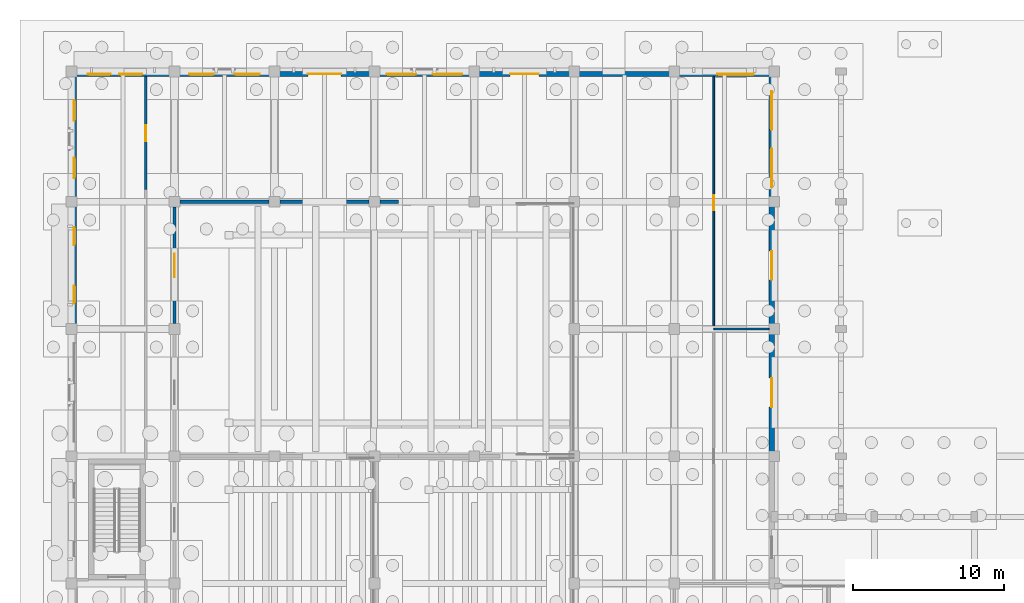
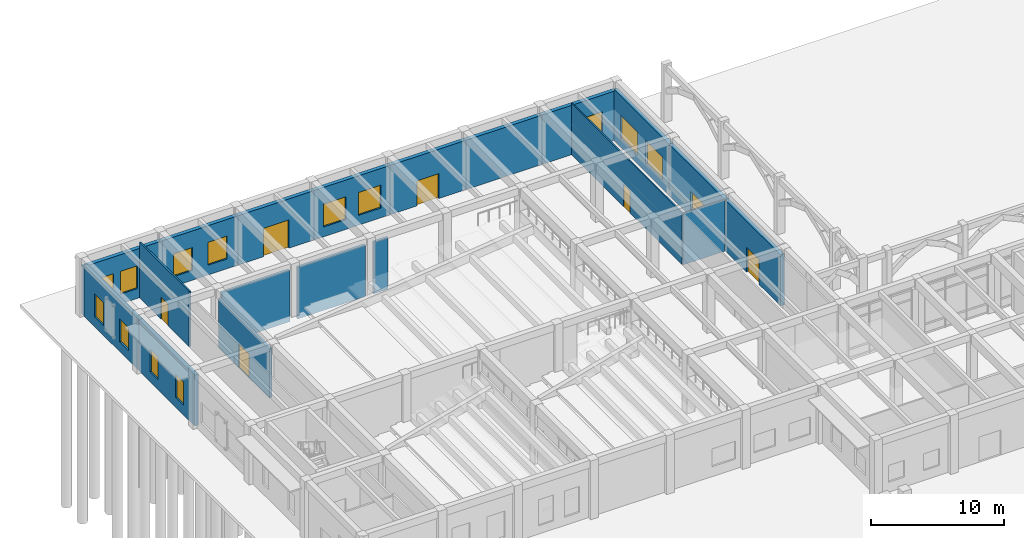
# One storey, part 56 of 82: 19 walls, 13 windows, 7 doors, 20 openings.
"""IFC4 building model written with IfcOpenShell, lengths in metres."""

from ifc_helpers import new_model, si_unit, direction, frame, frame_2d, origin, place, context, subcontext, project, spatial, rectangle, extrude, material, layer, layer_set, type_object, element, fill, save


model = new_model("IFC4")

# Units and contexts
model_context = context("Model", 3, precision=1e-05, world=origin(), true_north=direction((0.0, 1.0)))
body_context = subcontext(model_context, "Body", "Model", "MODEL_VIEW")
ifc_project = project(units=[si_unit("LENGTHUNIT", "METRE"), si_unit("AREAUNIT", "SQUARE_METRE"), si_unit("VOLUMEUNIT", "CUBIC_METRE"), si_unit("PLANEANGLEUNIT", "RADIAN"), si_unit("MASSUNIT", "GRAM", prefix="KILO")], contexts=[model_context])

# Site, building, storey
site_placement = place(None, origin())
site = spatial("IfcSite", under=ifc_project, at=site_placement, CompositionType="ELEMENT")
building_placement = place(site_placement, origin())
building = spatial("IfcBuilding", under=site, at=building_placement, Name="Kolvaren Faculty of Natural Sciences", CompositionType="ELEMENT")
storey_placement = place(building_placement, origin())
storey = spatial("IfcBuildingStorey", under=building, at=storey_placement, Name="L00", CompositionType="ELEMENT", Elevation=0.0)

# Walls
ifc_material_1 = material(Name="Autoclaved aerated fire-rated masonry blockwork", Category="masonry")
ifc_layer_1 = layer(ifc_material_1, 0.2099609375)
ifc_layer_set_1 = layer_set([ifc_layer_1], Name="Autoclaved aerated fire-rated masonry blockwork")
wall_type_1 = type_object("IfcWallType", Name="AcousticLectureWall_210", PredefinedType="PARTITIONING", material=ifc_layer_set_1)
wall_1_placement = place(storey_placement, frame((7.14990234375, 109.39990234375, 0.0), z_axis=(0.0, 0.0, 1.0), x_axis=(1.0, 0.0, 0.0)))
element("IfcWall", 1, at=wall_1_placement, inside=storey, type_object=wall_type_1, Name="L00 interior partition PW-210", PredefinedType="PARTITIONING", context=body_context, shape_type="SweptSolid", body=[
    extrude(rectangle(XDim=5.900146484375, YDim=0.2099609375, at=frame_2d((2.9501953125, 0.0))), origin(), (0.0, 0.0, 1.0), 4.735107421875),
])
wall_2_placement = place(storey_placement, frame((13.75, 109.39990234375, 0.0), z_axis=(0.0, 0.0, 1.0), x_axis=(1.0, 0.0, 0.0)))
element("IfcWall", 2, at=wall_2_placement, inside=storey, type_object=wall_type_1, Name="L00 interior partition PW-210", PredefinedType="PARTITIONING", context=body_context, shape_type="SweptSolid", body=[
    extrude(rectangle(XDim=5.89990234375, YDim=0.2099609375, at=frame_2d((2.949951171875, 0.0))), origin(), (0.0, 0.0, 1.0), 4.735107421875),
])
wall_3_placement = place(storey_placement, frame((20.35009765625, 109.39990234375, 0.0), z_axis=(0.0, 0.0, 1.0), x_axis=(1.0, 0.0, 0.0)))
element("IfcWall", 3, at=wall_3_placement, inside=storey, type_object=wall_type_1, Name="L00 interior partition PW-210", PredefinedType="PARTITIONING", context=body_context, shape_type="SweptSolid", body=[
    extrude(rectangle(XDim=1.25, YDim=0.2099609375, at=frame_2d((0.625, 0.0))), origin(), (0.0, 0.0, 1.0), 4.735107421875),
])

# Wall, opening, door
wall_4_placement = place(storey_placement, frame((6.800048828125, 101.35009765625, 0.0), z_axis=(0.0, 0.0, 1.0), x_axis=(0.0, 1.0, 0.0)))
wall_4 = element("IfcWall", 4, at=wall_4_placement, inside=storey, type_object=wall_type_1, Name="L00 interior partition PW-210", PredefinedType="PARTITIONING", context=body_context, shape_type="SweptSolid", body=[
    extrude(rectangle(XDim=7.699951171875, YDim=0.2099609375, at=frame_2d((3.85009765625, 0.0))), origin(), (0.0, 0.0, 1.0), 4.534912109375),
])
opening_1_placement = place(wall_4_placement, frame((3.074951171875, 0.0, 0.0)))
opening_1 = element("IfcOpeningElement", 5, at=opening_1_placement, cuts=wall_4, Name="Opening FD30-D", PredefinedType="OPENING", context=body_context, shape_type="SweptSolid", body=[
    extrude(rectangle(XDim=1.550048828125, YDim=2.199951171875, at=frame_2d((0.77490234375, 1.10009765625))), frame((0.0, 0.114990234375, 0.0), z_axis=(0.0, -1.0, 0.0), x_axis=(1.0, 0.0, 0.0)), (0.0, 0.0, 1.0), 0.22998046875),
])
ifc_material_2 = material(Name="Fire-rated solid-core hardwood door leaf in steel frame", Category="steel")
door_type_1 = type_object("IfcDoorType", Name="AssemblyDoubleFireDoor_1550x2200", OperationType="DOUBLE_DOOR_SINGLE_SWING", PredefinedType="DOOR", material=ifc_material_2)
door_1_placement = place(opening_1_placement, origin())
door_1 = element("IfcDoor", 6, at=door_1_placement, inside=storey, type_object=door_type_1, Name="D-L00-0038", OperationType="DOUBLE_DOOR_SINGLE_SWING", OverallHeight=2.199951171875, OverallWidth=1.550048828125, PredefinedType="DOOR", context=body_context, shape_type="SweptSolid", body=[
    extrude(rectangle(XDim=1.550048828125, YDim=2.199951171875, at=frame_2d((0.77490234375, 1.10009765625))), frame((0.0, 0.02490234375, 0.0), z_axis=(0.0, -1.0, 0.0), x_axis=(1.0, 0.0, 0.0)), (0.0, 0.0, 1.0), 0.050048828125),
])
fill(opening_1, door_1)

ifc_material_3 = material(Name="Acoustic mineral-wool insulated gypsum partition")
ifc_layer_2 = layer(ifc_material_3, 0.139892578125)
ifc_layer_set_2 = layer_set([ifc_layer_2], Name="Acoustic mineral-wool insulated gypsum partition")
wall_type_2 = type_object("IfcWallType", Name="CommonsPartitionWall_140", PredefinedType="PARTITIONING", material=ifc_layer_set_2)
wall_5_placement = place(storey_placement, frame((4.89990234375, 117.657958984375, 0.0), z_axis=(0.0, 0.0, 1.0), x_axis=(0.0, -1.0, 0.0)))
wall_5 = element("IfcWall", 7, at=wall_5_placement, inside=storey, type_object=wall_type_2, Name="L00 interior partition PW-140", PredefinedType="PARTITIONING", context=body_context, shape_type="SweptSolid", body=[
    extrude(rectangle(XDim=7.4580078125, YDim=0.139892578125, at=frame_2d((3.72900390625, 0.0))), origin(), (0.0, 0.0, 1.0), 5.094970703125),
])
opening_2_placement = place(wall_5_placement, frame((3.198974609375, 0.0, 0.0)))
opening_2 = element("IfcOpeningElement", 8, at=opening_2_placement, cuts=wall_5, Name="Opening ID-05", PredefinedType="OPENING", context=body_context, shape_type="SweptSolid", body=[
    extrude(rectangle(XDim=1.06005859375, YDim=2.02001953125, at=frame_2d((0.530029296875, 1.010009765625))), frame((0.0, 0.079833984375, 0.0), z_axis=(0.0, -1.0, 0.0), x_axis=(1.0, 0.0, 0.0)), (0.0, 0.0, 1.0), 0.159912109375),
])
ifc_material_4 = material(Name="Solid-core hardwood veneer door leaf in steel frame", Category="steel")
door_type_2 = type_object("IfcDoorType", Name="InteriorRoomDoor_1060x2020", OperationType="NOTDEFINED", PredefinedType="DOOR", material=ifc_material_4)
door_2_placement = place(opening_2_placement, origin())
door_2 = element("IfcDoor", 9, at=door_2_placement, inside=storey, type_object=door_type_2, Name="D-L00-0058", OperationType="SINGLE_SWING_RIGHT", OverallHeight=2.02001953125, OverallWidth=1.06005859375, PredefinedType="DOOR", context=body_context, shape_type="SweptSolid", body=[
    extrude(rectangle(XDim=1.06005859375, YDim=2.02001953125, at=frame_2d((0.530029296875, 1.010009765625))), frame((0.0, 0.02490234375, 0.0), z_axis=(0.0, -1.0, 0.0), x_axis=(1.0, 0.0, 0.0)), (0.0, 0.0, 1.0), 0.050048828125),
])
fill(opening_2, door_2)

# Wall, openings, windows
ifc_material_5 = material(Name="Sandstone-faced insulated cavity masonry", Category="masonry")
ifc_layer_3 = layer(ifc_material_5, 0.340087890625)
ifc_layer_set_3 = layer_set([ifc_layer_3], Name="Sandstone-faced insulated cavity masonry")
wall_type_3 = type_object("IfcWallType", Name="ExteriorCavityWall_340", PredefinedType="STANDARD", material=ifc_layer_set_3)
wall_6_placement = place(storey_placement, frame((0.169921875, 101.0, 0.0), z_axis=(0.0, 0.0, 1.0), x_axis=(0.0, 1.0, 0.0)))
wall_6 = element("IfcWall", 10, at=wall_6_placement, inside=storey, type_object=wall_type_3, Name="L00 exterior masonry wall EW-340 (56)", PredefinedType="STANDARD", context=body_context, shape_type="SweptSolid", body=[
    extrude(rectangle(XDim=8.39990234375, YDim=0.340087890625, at=frame_2d((4.199951171875, 0.0))), origin(), (0.0, 0.0, 1.0), 4.68505859375),
])
opening_3_placement = place(wall_6_placement, frame((1.66796875, 0.0, 0.89990234375)))
opening_3 = element("IfcOpeningElement", 11, at=opening_3_placement, cuts=wall_6, Name="Opening WIN-01", PredefinedType="OPENING", context=body_context, shape_type="SweptSolid", body=[
    extrude(rectangle(XDim=1.199951171875, YDim=2.10009765625, at=frame_2d((0.60009765625, 1.050048828125))), frame((0.0, 0.179931640625, 0.0), z_axis=(0.0, -1.0, 0.0), x_axis=(1.0, 0.0, 0.0)), (0.0, 0.0, 1.0), 0.360107421875),
])
opening_4_placement = place(wall_6_placement, frame((5.531982421875, 0.0, 0.89990234375)))
opening_4 = element("IfcOpeningElement", 12, at=opening_4_placement, cuts=wall_6, Name="Opening WIN-01", PredefinedType="OPENING", context=body_context, shape_type="SweptSolid", body=[
    extrude(rectangle(XDim=1.199951171875, YDim=2.10009765625, at=frame_2d((0.60009765625, 1.050048828125))), frame((0.0, 0.179931640625, 0.0), z_axis=(0.0, -1.0, 0.0), x_axis=(1.0, 0.0, 0.0)), (0.0, 0.0, 1.0), 0.360107421875),
])
ifc_material_6 = material(Name="Double low-E solar control insulated glazing", Category="glass")
window_type_1 = type_object("IfcWindowType", Name="AluWindow_WIN01_1200x2100", PartitioningType="SINGLE_PANEL", PredefinedType="WINDOW", material=ifc_material_6)
window_1_placement = place(opening_3_placement, origin())
window_1 = element("IfcWindow", 13, at=window_1_placement, inside=storey, type_object=window_type_1, Name="WIN-L00-0061", OverallHeight=2.10009765625, OverallWidth=1.199951171875, PartitioningType="SINGLE_PANEL", PredefinedType="WINDOW", context=body_context, shape_type="SweptSolid", body=[
    extrude(rectangle(XDim=1.199951171875, YDim=2.10009765625, at=frame_2d((0.60009765625, 1.050048828125))), frame((0.0, 0.030029296875, 0.0), z_axis=(0.0, -1.0, 0.0), x_axis=(1.0, 0.0, 0.0)), (0.0, 0.0, 1.0), 0.06005859375),
])
fill(opening_3, window_1)
window_2_placement = place(opening_4_placement, origin())
window_2 = element("IfcWindow", 14, at=window_2_placement, inside=storey, type_object=window_type_1, Name="WIN-L00-0062", OverallHeight=2.10009765625, OverallWidth=1.199951171875, PartitioningType="SINGLE_PANEL", PredefinedType="WINDOW", context=body_context, shape_type="SweptSolid", body=[
    extrude(rectangle(XDim=1.199951171875, YDim=2.10009765625, at=frame_2d((0.60009765625, 1.050048828125))), frame((0.0, 0.030029296875, 0.0), z_axis=(0.0, -1.0, 0.0), x_axis=(1.0, 0.0, 0.0)), (0.0, 0.0, 1.0), 0.06005859375),
])
fill(opening_4, window_2)

wall_7_placement = place(storey_placement, frame((0.169921875, 109.39990234375, 0.0), z_axis=(0.0, 0.0, 1.0), x_axis=(0.0, 1.0, 0.0)))
wall_7 = element("IfcWall", 15, at=wall_7_placement, inside=storey, type_object=wall_type_3, Name="L00 exterior masonry wall EW-340 (57)", PredefinedType="STANDARD", context=body_context, shape_type="SweptSolid", body=[
    extrude(rectangle(XDim=8.260009765625, YDim=0.340087890625, at=frame_2d((4.1298828125, 0.0))), origin(), (0.0, 0.0, 1.0), 4.68505859375),
])
opening_5_placement = place(wall_7_placement, frame((1.55517578125, 0.0, 0.89990234375)))
opening_5 = element("IfcOpeningElement", 16, at=opening_5_placement, cuts=wall_7, Name="Opening WIN-02", PredefinedType="OPENING", context=body_context, shape_type="SweptSolid", body=[
    extrude(rectangle(XDim=1.35009765625, YDim=2.10009765625, at=frame_2d((0.675048828125, 1.050048828125))), frame((0.0, 0.179931640625, 0.0), z_axis=(0.0, -1.0, 0.0), x_axis=(1.0, 0.0, 0.0)), (0.0, 0.0, 1.0), 0.360107421875),
])
opening_6_placement = place(wall_7_placement, frame((5.354736328125, 0.0, 0.89990234375)))
opening_6 = element("IfcOpeningElement", 17, at=opening_6_placement, cuts=wall_7, Name="Opening WIN-02", PredefinedType="OPENING", context=body_context, shape_type="SweptSolid", body=[
    extrude(rectangle(XDim=1.35009765625, YDim=2.10009765625, at=frame_2d((0.675048828125, 1.050048828125))), frame((0.0, 0.179931640625, 0.0), z_axis=(0.0, -1.0, 0.0), x_axis=(1.0, 0.0, 0.0)), (0.0, 0.0, 1.0), 0.360107421875),
])
window_type_2 = type_object("IfcWindowType", Name="AluWindow_WIN02_1350x2100", PartitioningType="SINGLE_PANEL", PredefinedType="WINDOW", material=ifc_material_6)
window_3_placement = place(opening_5_placement, origin())
window_3 = element("IfcWindow", 18, at=window_3_placement, inside=storey, type_object=window_type_2, Name="WIN-L00-0063", OverallHeight=2.10009765625, OverallWidth=1.35009765625, PartitioningType="SINGLE_PANEL", PredefinedType="WINDOW", context=body_context, shape_type="SweptSolid", body=[
    extrude(rectangle(XDim=1.35009765625, YDim=2.10009765625, at=frame_2d((0.675048828125, 1.050048828125))), frame((0.0, 0.030029296875, 0.0), z_axis=(0.0, -1.0, 0.0), x_axis=(1.0, 0.0, 0.0)), (0.0, 0.0, 1.0), 0.06005859375),
])
fill(opening_5, window_3)
window_4_placement = place(opening_6_placement, origin())
window_4 = element("IfcWindow", 19, at=window_4_placement, inside=storey, type_object=window_type_2, Name="WIN-L00-0064", OverallHeight=2.10009765625, OverallWidth=1.35009765625, PartitioningType="SINGLE_PANEL", PredefinedType="WINDOW", context=body_context, shape_type="SweptSolid", body=[
    extrude(rectangle(XDim=1.35009765625, YDim=2.10009765625, at=frame_2d((0.675048828125, 1.050048828125))), frame((0.0, 0.030029296875, 0.0), z_axis=(0.0, -1.0, 0.0), x_axis=(1.0, 0.0, 0.0)), (0.0, 0.0, 1.0), 0.06005859375),
])
fill(opening_6, window_4)

wall_8_placement = place(storey_placement, frame((0.0, 117.830078125, 0.0), z_axis=(0.0, 0.0, 1.0), x_axis=(1.0, 0.0, 0.0)))
wall_8 = element("IfcWall", 20, at=wall_8_placement, inside=storey, type_object=wall_type_3, Name="L00 exterior masonry wall EW-340 (58)", PredefinedType="STANDARD", context=body_context, shape_type="SweptSolid", body=[
    extrude(rectangle(XDim=6.800048828125, YDim=0.340087890625, at=frame_2d((3.39990234375, 0.0))), origin(), (0.0, 0.0, 1.0), 4.534912109375),
])
opening_7_placement = place(wall_8_placement, frame((1.0859375, 0.0, 0.89990234375)))
opening_7 = element("IfcOpeningElement", 21, at=opening_7_placement, cuts=wall_8, Name="Opening WIN-03", PredefinedType="OPENING", context=body_context, shape_type="SweptSolid", body=[
    extrude(rectangle(XDim=1.5, YDim=2.10009765625, at=frame_2d((0.75, 1.050048828125))), frame((0.0, 0.179931640625, 0.0), z_axis=(0.0, -1.0, 0.0), x_axis=(1.0, 0.0, 0.0)), (0.0, 0.0, 1.0), 0.360107421875),
])
opening_8_placement = place(wall_8_placement, frame((3.159912109375, 0.0, 0.89990234375)))
opening_8 = element("IfcOpeningElement", 22, at=opening_8_placement, cuts=wall_8, Name="Opening WIN-03", PredefinedType="OPENING", context=body_context, shape_type="SweptSolid", body=[
    extrude(rectangle(XDim=1.5, YDim=2.10009765625, at=frame_2d((0.75, 1.050048828125))), frame((0.0, 0.179931640625, 0.0), z_axis=(0.0, -1.0, 0.0), x_axis=(1.0, 0.0, 0.0)), (0.0, 0.0, 1.0), 0.360107421875),
])
window_type_3 = type_object("IfcWindowType", Name="AluWindow_WIN03_1500x2100", PartitioningType="SINGLE_PANEL", PredefinedType="WINDOW", material=ifc_material_6)
window_5_placement = place(opening_7_placement, origin())
window_5 = element("IfcWindow", 23, at=window_5_placement, inside=storey, type_object=window_type_3, Name="WIN-L00-0065", OverallHeight=2.10009765625, OverallWidth=1.5, PartitioningType="SINGLE_PANEL", PredefinedType="WINDOW", context=body_context, shape_type="SweptSolid", body=[
    extrude(rectangle(XDim=1.5, YDim=2.10009765625, at=frame_2d((0.75, 1.050048828125))), frame((0.0, 0.030029296875, 0.0), z_axis=(0.0, -1.0, 0.0), x_axis=(1.0, 0.0, 0.0)), (0.0, 0.0, 1.0), 0.06005859375),
])
fill(opening_7, window_5)
window_6_placement = place(opening_8_placement, origin())
window_6 = element("IfcWindow", 24, at=window_6_placement, inside=storey, type_object=window_type_3, Name="WIN-L00-0066", OverallHeight=2.10009765625, OverallWidth=1.5, PartitioningType="SINGLE_PANEL", PredefinedType="WINDOW", context=body_context, shape_type="SweptSolid", body=[
    extrude(rectangle(XDim=1.5, YDim=2.10009765625, at=frame_2d((0.75, 1.050048828125))), frame((0.0, 0.030029296875, 0.0), z_axis=(0.0, -1.0, 0.0), x_axis=(1.0, 0.0, 0.0)), (0.0, 0.0, 1.0), 0.06005859375),
])
fill(opening_8, window_6)

wall_9_placement = place(storey_placement, frame((6.800048828125, 117.830078125, 0.0), z_axis=(0.0, 0.0, 1.0), x_axis=(1.0, 0.0, 0.0)))
wall_9 = element("IfcWall", 25, at=wall_9_placement, inside=storey, type_object=wall_type_3, Name="L00 exterior masonry wall EW-340 (59)", PredefinedType="STANDARD", context=body_context, shape_type="SweptSolid", body=[
    extrude(rectangle(XDim=6.599853515625, YDim=0.340087890625, at=frame_2d((3.2998046875, 0.0))), origin(), (0.0, 0.0, 1.0), 4.534912109375),
])
opening_9_placement = place(wall_9_placement, frame((0.95703125, 0.0, 0.89990234375)))
opening_9 = element("IfcOpeningElement", 26, at=opening_9_placement, cuts=wall_9, Name="Opening WIN-04", PredefinedType="OPENING", context=body_context, shape_type="SweptSolid", body=[
    extrude(rectangle(XDim=1.64990234375, YDim=2.10009765625, at=frame_2d((0.824951171875, 1.050048828125))), frame((0.0, 0.179931640625, 0.0), z_axis=(0.0, -1.0, 0.0), x_axis=(1.0, 0.0, 0.0)), (0.0, 0.0, 1.0), 0.360107421875),
])
opening_10_placement = place(wall_9_placement, frame((3.992919921875, 0.0, 0.89990234375)))
opening_10 = element("IfcOpeningElement", 27, at=opening_10_placement, cuts=wall_9, Name="Opening WIN-04", PredefinedType="OPENING", context=body_context, shape_type="SweptSolid", body=[
    extrude(rectangle(XDim=1.64990234375, YDim=2.10009765625, at=frame_2d((0.824951171875, 1.050048828125))), frame((0.0, 0.179931640625, 0.0), z_axis=(0.0, -1.0, 0.0), x_axis=(1.0, 0.0, 0.0)), (0.0, 0.0, 1.0), 0.360107421875),
])
window_type_4 = type_object("IfcWindowType", Name="AluWindow_WIN04_1650x2100", PartitioningType="SINGLE_PANEL", PredefinedType="WINDOW", material=ifc_material_6)
window_7_placement = place(opening_9_placement, origin())
window_7 = element("IfcWindow", 28, at=window_7_placement, inside=storey, type_object=window_type_4, Name="WIN-L00-0067", OverallHeight=2.10009765625, OverallWidth=1.64990234375, PartitioningType="SINGLE_PANEL", PredefinedType="WINDOW", context=body_context, shape_type="SweptSolid", body=[
    extrude(rectangle(XDim=1.64990234375, YDim=2.10009765625, at=frame_2d((0.824951171875, 1.050048828125))), frame((0.0, 0.030029296875, 0.0), z_axis=(0.0, -1.0, 0.0), x_axis=(1.0, 0.0, 0.0)), (0.0, 0.0, 1.0), 0.06005859375),
])
fill(opening_9, window_7)
window_8_placement = place(opening_10_placement, origin())
window_8 = element("IfcWindow", 29, at=window_8_placement, inside=storey, type_object=window_type_4, Name="WIN-L00-0068", OverallHeight=2.10009765625, OverallWidth=1.64990234375, PartitioningType="SINGLE_PANEL", PredefinedType="WINDOW", context=body_context, shape_type="SweptSolid", body=[
    extrude(rectangle(XDim=1.64990234375, YDim=2.10009765625, at=frame_2d((0.824951171875, 1.050048828125))), frame((0.0, 0.030029296875, 0.0), z_axis=(0.0, -1.0, 0.0), x_axis=(1.0, 0.0, 0.0)), (0.0, 0.0, 1.0), 0.06005859375),
])
fill(opening_10, window_8)

# Wall, opening, door
wall_10_placement = place(storey_placement, frame((13.39990234375, 117.830078125, 0.0), z_axis=(0.0, 0.0, 1.0), x_axis=(1.0, 0.0, 0.0)))
wall_10 = element("IfcWall", 30, at=wall_10_placement, inside=storey, type_object=wall_type_3, Name="L00 exterior masonry wall EW-340 (60)", PredefinedType="STANDARD", context=body_context, shape_type="SweptSolid", body=[
    extrude(rectangle(XDim=6.60009765625, YDim=0.340087890625, at=frame_2d((3.300048828125, 0.0))), origin(), (0.0, 0.0, 1.0), 4.534912109375),
])
opening_11_placement = place(wall_10_placement, frame((2.199951171875, 0.0, 0.0)))
opening_11 = element("IfcOpeningElement", 31, at=opening_11_placement, cuts=wall_10, Name="Opening ED-01", PredefinedType="OPENING", context=body_context, shape_type="SweptSolid", body=[
    extrude(rectangle(XDim=2.199951171875, YDim=2.60009765625, at=frame_2d((1.10009765625, 1.300048828125))), frame((0.0, 0.179931640625, 0.0), z_axis=(0.0, -1.0, 0.0), x_axis=(1.0, 0.0, 0.0)), (0.0, 0.0, 1.0), 0.360107421875),
])
ifc_material_7 = material(Name="Thermally broken anodised aluminium framing", Category="aluminium")
door_type_3 = type_object("IfcDoorType", Name="MainEntranceDoubleDoor_2200x2600", OperationType="DOUBLE_DOOR_SINGLE_SWING", PredefinedType="DOOR", material=ifc_material_7)
door_3_placement = place(opening_11_placement, origin())
door_3 = element("IfcDoor", 32, at=door_3_placement, inside=storey, type_object=door_type_3, Name="D-L00-EX-14", OperationType="DOUBLE_DOOR_SINGLE_SWING", OverallHeight=2.60009765625, OverallWidth=2.199951171875, PredefinedType="DOOR", context=body_context, shape_type="SweptSolid", body=[
    extrude(rectangle(XDim=2.199951171875, YDim=2.60009765625, at=frame_2d((1.10009765625, 1.300048828125))), frame((0.0, 0.02490234375, 0.0), z_axis=(0.0, -1.0, 0.0), x_axis=(1.0, 0.0, 0.0)), (0.0, 0.0, 1.0), 0.050048828125),
])
fill(opening_11, door_3)

# Wall, openings, windows
wall_11_placement = place(storey_placement, frame((20.0, 117.830078125, 0.0), z_axis=(0.0, 0.0, 1.0), x_axis=(1.0, 0.0, 0.0)))
wall_11 = element("IfcWall", 33, at=wall_11_placement, inside=storey, type_object=wall_type_3, Name="L00 exterior masonry wall EW-340 (61)", PredefinedType="STANDARD", context=body_context, shape_type="SweptSolid", body=[
    extrude(rectangle(XDim=6.60009765625, YDim=0.340087890625, at=frame_2d((3.300048828125, 0.0))), origin(), (0.0, 0.0, 1.0), 4.534912109375),
])
opening_12_placement = place(wall_11_placement, frame((0.806884765625, 0.0, 0.89990234375)))
opening_12 = element("IfcOpeningElement", 34, at=opening_12_placement, cuts=wall_11, Name="Opening WIN-06", PredefinedType="OPENING", context=body_context, shape_type="SweptSolid", body=[
    extrude(rectangle(XDim=1.949951171875, YDim=2.10009765625, at=frame_2d((0.97509765625, 1.050048828125))), frame((0.0, 0.179931640625, 0.0), z_axis=(0.0, -1.0, 0.0), x_axis=(1.0, 0.0, 0.0)), (0.0, 0.0, 1.0), 0.360107421875),
])
opening_13_placement = place(wall_11_placement, frame((3.843017578125, 0.0, 0.89990234375)))
opening_13 = element("IfcOpeningElement", 35, at=opening_13_placement, cuts=wall_11, Name="Opening WIN-06", PredefinedType="OPENING", context=body_context, shape_type="SweptSolid", body=[
    extrude(rectangle(XDim=1.949951171875, YDim=2.10009765625, at=frame_2d((0.97509765625, 1.050048828125))), frame((0.0, 0.179931640625, 0.0), z_axis=(0.0, -1.0, 0.0), x_axis=(1.0, 0.0, 0.0)), (0.0, 0.0, 1.0), 0.360107421875),
])
window_type_5 = type_object("IfcWindowType", Name="AluWindow_WIN06_1950x2100", PartitioningType="SINGLE_PANEL", PredefinedType="WINDOW", material=ifc_material_6)
window_9_placement = place(opening_12_placement, origin())
window_9 = element("IfcWindow", 36, at=window_9_placement, inside=storey, type_object=window_type_5, Name="WIN-L00-0069", OverallHeight=2.10009765625, OverallWidth=1.949951171875, PartitioningType="SINGLE_PANEL", PredefinedType="WINDOW", context=body_context, shape_type="SweptSolid", body=[
    extrude(rectangle(XDim=1.949951171875, YDim=2.10009765625, at=frame_2d((0.97509765625, 1.050048828125))), frame((0.0, 0.030029296875, 0.0), z_axis=(0.0, -1.0, 0.0), x_axis=(1.0, 0.0, 0.0)), (0.0, 0.0, 1.0), 0.06005859375),
])
fill(opening_12, window_9)
window_10_placement = place(opening_13_placement, origin())
window_10 = element("IfcWindow", 37, at=window_10_placement, inside=storey, type_object=window_type_5, Name="WIN-L00-0070", OverallHeight=2.10009765625, OverallWidth=1.949951171875, PartitioningType="SINGLE_PANEL", PredefinedType="WINDOW", context=body_context, shape_type="SweptSolid", body=[
    extrude(rectangle(XDim=1.949951171875, YDim=2.10009765625, at=frame_2d((0.97509765625, 1.050048828125))), frame((0.0, 0.030029296875, 0.0), z_axis=(0.0, -1.0, 0.0), x_axis=(1.0, 0.0, 0.0)), (0.0, 0.0, 1.0), 0.06005859375),
])
fill(opening_13, window_10)

# Wall, opening, door
wall_12_placement = place(storey_placement, frame((26.60009765625, 117.830078125, 0.0), z_axis=(0.0, 0.0, 1.0), x_axis=(1.0, 0.0, 0.0)))
wall_12 = element("IfcWall", 38, at=wall_12_placement, inside=storey, type_object=wall_type_3, Name="L00 exterior masonry wall EW-340 (62)", PredefinedType="STANDARD", context=body_context, shape_type="SweptSolid", body=[
    extrude(rectangle(XDim=6.599853515625, YDim=0.340087890625, at=frame_2d((3.2998046875, 0.0))), origin(), (0.0, 0.0, 1.0), 4.534912109375),
])
opening_14_placement = place(wall_12_placement, frame((2.35009765625, 0.0, 0.0)))
opening_14 = element("IfcOpeningElement", 39, at=opening_14_placement, cuts=wall_12, Name="Opening ED-02", PredefinedType="OPENING", context=body_context, shape_type="SweptSolid", body=[
    extrude(rectangle(XDim=1.89990234375, YDim=2.300048828125, at=frame_2d((0.949951171875, 1.14990234375))), frame((0.0, 0.179931640625, 0.0), z_axis=(0.0, -1.0, 0.0), x_axis=(1.0, 0.0, 0.0)), (0.0, 0.0, 1.0), 0.360107421875),
])
door_type_4 = type_object("IfcDoorType", Name="PlazaExitDoubleDoor_1900x2300", OperationType="DOUBLE_DOOR_SINGLE_SWING", PredefinedType="DOOR", material=ifc_material_7)
door_4_placement = place(opening_14_placement, origin())
door_4 = element("IfcDoor", 40, at=door_4_placement, inside=storey, type_object=door_type_4, Name="D-L00-EX-15", OperationType="DOUBLE_DOOR_SINGLE_SWING", OverallHeight=2.300048828125, OverallWidth=1.89990234375, PredefinedType="DOOR", context=body_context, shape_type="SweptSolid", body=[
    extrude(rectangle(XDim=1.89990234375, YDim=2.300048828125, at=frame_2d((0.949951171875, 1.14990234375))), frame((0.0, 0.02490234375, 0.0), z_axis=(0.0, -1.0, 0.0), x_axis=(1.0, 0.0, 0.0)), (0.0, 0.0, 1.0), 0.050048828125),
])
fill(opening_14, door_4)

# Wall
wall_13_placement = place(storey_placement, frame((33.199951171875, 117.830078125, 0.0), z_axis=(0.0, 0.0, 1.0), x_axis=(1.0, 0.0, 0.0)))
element("IfcWall", 41, at=wall_13_placement, inside=storey, type_object=wall_type_3, Name="L00 exterior masonry wall EW-340 (63)", PredefinedType="STANDARD", context=body_context, shape_type="SweptSolid", body=[
    extrude(rectangle(XDim=6.60009765625, YDim=0.340087890625, at=frame_2d((3.300048828125, 0.0))), origin(), (0.0, 0.0, 1.0), 4.534912109375),
])

# Wall, opening, window
wall_14_placement = place(storey_placement, frame((39.800048828125, 117.830078125, 0.0), z_axis=(0.0, 0.0, 1.0), x_axis=(1.0, 0.0, 0.0)))
wall_14 = element("IfcWall", 42, at=wall_14_placement, inside=storey, type_object=wall_type_3, Name="L00 exterior masonry wall EW-340 (64)", PredefinedType="STANDARD", context=body_context, shape_type="SweptSolid", body=[
    extrude(rectangle(XDim=6.599853515625, YDim=0.340087890625, at=frame_2d((3.2998046875, 0.0))), origin(), (0.0, 0.0, 1.0), 4.534912109375),
])
opening_15_placement = place(wall_14_placement, frame((2.840087890625, 0.0, 0.89990234375)))
opening_15 = element("IfcOpeningElement", 43, at=opening_15_placement, cuts=wall_14, Name="Opening WIN-09", PredefinedType="OPENING", context=body_context, shape_type="SweptSolid", body=[
    extrude(rectangle(XDim=2.39990234375, YDim=2.10009765625, at=frame_2d((1.199951171875, 1.050048828125))), frame((0.0, 0.179931640625, 0.0), z_axis=(0.0, -1.0, 0.0), x_axis=(1.0, 0.0, 0.0)), (0.0, 0.0, 1.0), 0.360107421875),
])
window_type_6 = type_object("IfcWindowType", Name="AluWindow_WIN09_2400x2100", PartitioningType="SINGLE_PANEL", PredefinedType="WINDOW", material=ifc_material_6)
window_11_placement = place(opening_15_placement, origin())
window_11 = element("IfcWindow", 44, at=window_11_placement, inside=storey, type_object=window_type_6, Name="WIN-L00-0071", OverallHeight=2.10009765625, OverallWidth=2.39990234375, PartitioningType="SINGLE_PANEL", PredefinedType="WINDOW", context=body_context, shape_type="SweptSolid", body=[
    extrude(rectangle(XDim=2.39990234375, YDim=2.10009765625, at=frame_2d((1.199951171875, 1.050048828125))), frame((0.0, 0.030029296875, 0.0), z_axis=(0.0, -1.0, 0.0), x_axis=(1.0, 0.0, 0.0)), (0.0, 0.0, 1.0), 0.06005859375),
])
fill(opening_15, window_11)

# Wall, openings, windows
wall_15_placement = place(storey_placement, frame((46.22998046875, 117.659912109375, 0.0), z_axis=(0.0, 0.0, 1.0), x_axis=(0.0, -1.0, 0.0)))
wall_15 = element("IfcWall", 45, at=wall_15_placement, inside=storey, type_object=wall_type_3, Name="L00 exterior masonry wall EW-340 (65)", PredefinedType="STANDARD", context=body_context, shape_type="SweptSolid", body=[
    extrude(rectangle(XDim=8.260009765625, YDim=0.340087890625, at=frame_2d((4.1298828125, 0.0))), origin(), (0.0, 0.0, 1.0), 4.68505859375),
])
opening_16_placement = place(wall_15_placement, frame((0.955078125, 0.0, 0.75)))
opening_16 = element("IfcOpeningElement", 46, at=opening_16_placement, cuts=wall_15, Name="Opening WIN-10", PredefinedType="OPENING", context=body_context, shape_type="SweptSolid", body=[
    extrude(rectangle(XDim=2.550048828125, YDim=2.14990234375, at=frame_2d((1.27490234375, 1.074951171875))), frame((0.0, 0.179931640625, 0.0), z_axis=(0.0, -1.0, 0.0), x_axis=(1.0, 0.0, 0.0)), (0.0, 0.0, 1.0), 0.360107421875),
])
opening_17_placement = place(wall_15_placement, frame((4.7548828125, 0.0, 0.75)))
opening_17 = element("IfcOpeningElement", 47, at=opening_17_placement, cuts=wall_15, Name="Opening WIN-10", PredefinedType="OPENING", context=body_context, shape_type="SweptSolid", body=[
    extrude(rectangle(XDim=2.550048828125, YDim=2.14990234375, at=frame_2d((1.27490234375, 1.074951171875))), frame((0.0, 0.179931640625, 0.0), z_axis=(0.0, -1.0, 0.0), x_axis=(1.0, 0.0, 0.0)), (0.0, 0.0, 1.0), 0.360107421875),
])
window_type_7 = type_object("IfcWindowType", Name="AluWindow_WIN10_2550x2150", PartitioningType="SINGLE_PANEL", PredefinedType="WINDOW", material=ifc_material_6)
window_12_placement = place(opening_16_placement, origin())
window_12 = element("IfcWindow", 48, at=window_12_placement, inside=storey, type_object=window_type_7, Name="WIN-L00-0072", OverallHeight=2.14990234375, OverallWidth=2.550048828125, PartitioningType="SINGLE_PANEL", PredefinedType="WINDOW", context=body_context, shape_type="SweptSolid", body=[
    extrude(rectangle(XDim=2.550048828125, YDim=2.14990234375, at=frame_2d((1.27490234375, 1.074951171875))), frame((0.0, 0.030029296875, 0.0), z_axis=(0.0, -1.0, 0.0), x_axis=(1.0, 0.0, 0.0)), (0.0, 0.0, 1.0), 0.06005859375),
])
fill(opening_16, window_12)
window_13_placement = place(opening_17_placement, origin())
window_13 = element("IfcWindow", 49, at=window_13_placement, inside=storey, type_object=window_type_7, Name="WIN-L00-0073", OverallHeight=2.14990234375, OverallWidth=2.550048828125, PartitioningType="SINGLE_PANEL", PredefinedType="WINDOW", context=body_context, shape_type="SweptSolid", body=[
    extrude(rectangle(XDim=2.550048828125, YDim=2.14990234375, at=frame_2d((1.27490234375, 1.074951171875))), frame((0.0, 0.030029296875, 0.0), z_axis=(0.0, -1.0, 0.0), x_axis=(1.0, 0.0, 0.0)), (0.0, 0.0, 1.0), 0.06005859375),
])
fill(opening_17, window_13)

# Wall, opening, door
wall_16_placement = place(storey_placement, frame((46.22998046875, 109.39990234375, 0.0), z_axis=(0.0, 0.0, 1.0), x_axis=(0.0, -1.0, 0.0)))
wall_16 = element("IfcWall", 50, at=wall_16_placement, inside=storey, type_object=wall_type_3, Name="L00 exterior masonry wall EW-340 (66)", PredefinedType="STANDARD", context=body_context, shape_type="SweptSolid", body=[
    extrude(rectangle(XDim=8.39990234375, YDim=0.340087890625, at=frame_2d((4.199951171875, 0.0))), origin(), (0.0, 0.0, 1.0), 4.68505859375),
])
opening_18_placement = place(wall_16_placement, frame((3.25, 0.0, 0.0)))
opening_18 = element("IfcOpeningElement", 51, at=opening_18_placement, cuts=wall_16, Name="Opening ED-02", PredefinedType="OPENING", context=body_context, shape_type="SweptSolid", body=[
    extrude(rectangle(XDim=1.89990234375, YDim=2.300048828125, at=frame_2d((0.949951171875, 1.14990234375))), frame((0.0, 0.179931640625, 0.0), z_axis=(0.0, -1.0, 0.0), x_axis=(1.0, 0.0, 0.0)), (0.0, 0.0, 1.0), 0.360107421875),
])
door_5_placement = place(opening_18_placement, origin())
door_5 = element("IfcDoor", 52, at=door_5_placement, inside=storey, type_object=door_type_4, Name="D-L00-EX-13", OperationType="DOUBLE_DOOR_SINGLE_SWING", OverallHeight=2.300048828125, OverallWidth=1.89990234375, PredefinedType="DOOR", context=body_context, shape_type="SweptSolid", body=[
    extrude(rectangle(XDim=1.89990234375, YDim=2.300048828125, at=frame_2d((0.949951171875, 1.14990234375))), frame((0.0, 0.02490234375, 0.0), z_axis=(0.0, -1.0, 0.0), x_axis=(1.0, 0.0, 0.0)), (0.0, 0.0, 1.0), 0.050048828125),
])
fill(opening_18, door_5)

wall_17_placement = place(storey_placement, frame((46.22998046875, 101.0, 0.0), z_axis=(0.0, 0.0, 1.0), x_axis=(0.0, -1.0, 0.0)))
wall_17 = element("IfcWall", 53, at=wall_17_placement, inside=storey, type_object=wall_type_3, Name="L00 exterior masonry wall EW-340 (67)", PredefinedType="STANDARD", context=body_context, shape_type="SweptSolid", body=[
    extrude(rectangle(XDim=8.39990234375, YDim=0.340087890625, at=frame_2d((4.199951171875, 0.0))), origin(), (0.0, 0.0, 1.0), 4.68505859375),
])
opening_19_placement = place(wall_17_placement, frame((3.25, 0.0, 0.0)))
opening_19 = element("IfcOpeningElement", 54, at=opening_19_placement, cuts=wall_17, Name="Opening ED-02", PredefinedType="OPENING", context=body_context, shape_type="SweptSolid", body=[
    extrude(rectangle(XDim=1.89990234375, YDim=2.300048828125, at=frame_2d((0.949951171875, 1.14990234375))), frame((0.0, 0.179931640625, 0.0), z_axis=(0.0, -1.0, 0.0), x_axis=(1.0, 0.0, 0.0)), (0.0, 0.0, 1.0), 0.360107421875),
])
door_6_placement = place(opening_19_placement, origin())
door_6 = element("IfcDoor", 55, at=door_6_placement, inside=storey, type_object=door_type_4, Name="D-L00-EX-12", OperationType="DOUBLE_DOOR_SINGLE_SWING", OverallHeight=2.300048828125, OverallWidth=1.89990234375, PredefinedType="DOOR", context=body_context, shape_type="SweptSolid", body=[
    extrude(rectangle(XDim=1.89990234375, YDim=2.300048828125, at=frame_2d((0.949951171875, 1.14990234375))), frame((0.0, 0.02490234375, 0.0), z_axis=(0.0, -1.0, 0.0), x_axis=(1.0, 0.0, 0.0)), (0.0, 0.0, 1.0), 0.050048828125),
])
fill(opening_19, door_6)

ifc_layer_4 = layer(ifc_material_3, 0.114990234375)
ifc_layer_set_4 = layer_set([ifc_layer_4], Name="Acoustic mineral-wool insulated gypsum partition")
wall_type_4 = type_object("IfcWallType", Name="StorePartitionWall_115", PredefinedType="PARTITIONING", material=ifc_layer_set_4)
wall_18_placement = place(storey_placement, frame((42.39990234375, 101.0, 0.0), z_axis=(0.0, 0.0, 1.0), x_axis=(0.0, 1.0, 0.0)))
wall_18 = element("IfcWall", 56, at=wall_18_placement, inside=storey, type_object=wall_type_4, Name="L00 interior partition PW-115", PredefinedType="PARTITIONING", context=body_context, shape_type="SweptSolid", body=[
    extrude(rectangle(XDim=16.657958984375, YDim=0.114990234375, at=frame_2d((8.3291015625, 0.0))), origin(), (0.0, 0.0, 1.0), 4.735107421875),
])
opening_20_placement = place(wall_18_placement, frame((7.8291015625, 0.0, 0.0)))
opening_20 = element("IfcOpeningElement", 57, at=opening_20_placement, cuts=wall_18, Name="Opening ID-08", PredefinedType="OPENING", context=body_context, shape_type="SweptSolid", body=[
    extrude(rectangle(XDim=1.0, YDim=2.06005859375, at=frame_2d((0.5, 1.030029296875))), frame((0.0, 0.0673828125, 0.0), z_axis=(0.0, -1.0, 0.0), x_axis=(1.0, 0.0, 0.0)), (0.0, 0.0, 1.0), 0.135009765625),
])
door_type_5 = type_object("IfcDoorType", Name="InteriorRoomDoor_1000x2060", OperationType="NOTDEFINED", PredefinedType="DOOR", material=ifc_material_4)
door_7_placement = place(opening_20_placement, origin())
door_7 = element("IfcDoor", 58, at=door_7_placement, inside=storey, type_object=door_type_5, Name="D-L00-0062", OperationType="SINGLE_SWING_RIGHT", OverallHeight=2.06005859375, OverallWidth=1.0, PredefinedType="DOOR", context=body_context, shape_type="SweptSolid", body=[
    extrude(rectangle(XDim=1.0, YDim=2.06005859375, at=frame_2d((0.5, 1.030029296875))), frame((0.0, 0.02490234375, 0.0), z_axis=(0.0, -1.0, 0.0), x_axis=(1.0, 0.0, 0.0)), (0.0, 0.0, 1.0), 0.050048828125),
])
fill(opening_20, door_7)

# Wall
ifc_layer_5 = layer(ifc_material_3, 0.1201171875)
ifc_layer_set_5 = layer_set([ifc_layer_5], Name="Acoustic mineral-wool insulated gypsum partition")
wall_type_5 = type_object("IfcWallType", Name="StudioPartitionWall_120", PredefinedType="PARTITIONING", material=ifc_layer_set_5)
wall_19_placement = place(storey_placement, frame((42.39990234375, 101.0, 0.0), z_axis=(0.0, 0.0, 1.0), x_axis=(1.0, 0.0, 0.0)))
element("IfcWall", 59, at=wall_19_placement, inside=storey, type_object=wall_type_5, Name="L00 interior partition PW-120", PredefinedType="PARTITIONING", context=body_context, shape_type="SweptSolid", body=[
    extrude(rectangle(XDim=3.650146484375, YDim=0.1201171875, at=frame_2d((1.8251953125, 0.0))), origin(), (0.0, 0.0, 1.0), 4.735107421875),
])

save(model, "model.ifc")
